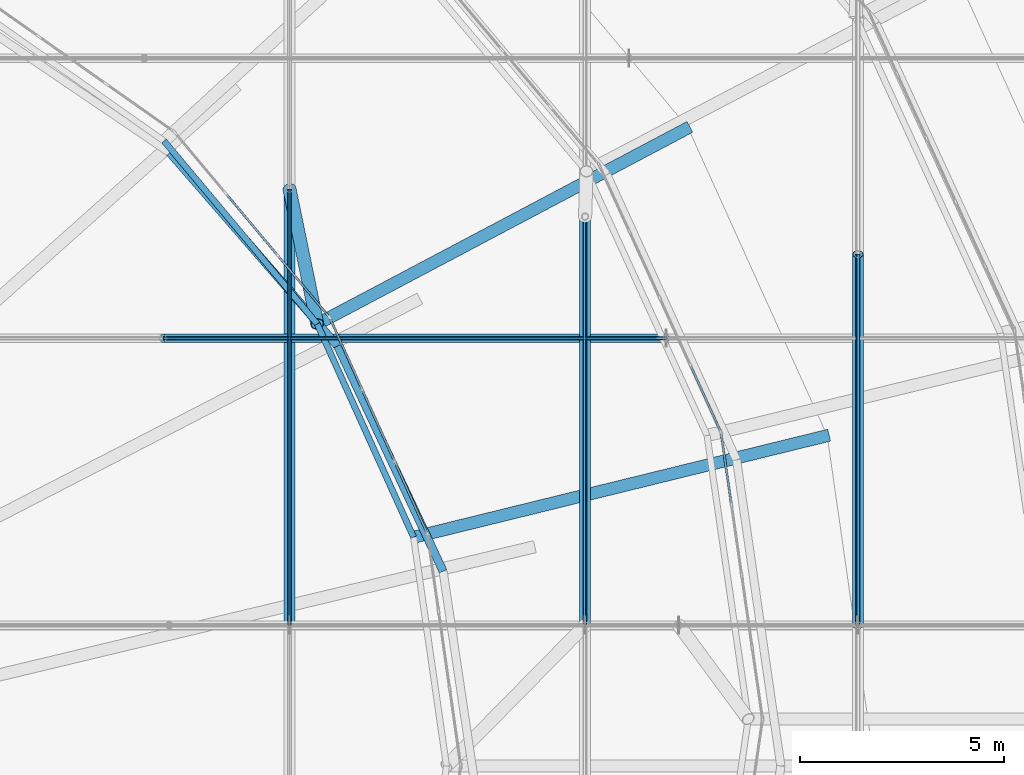
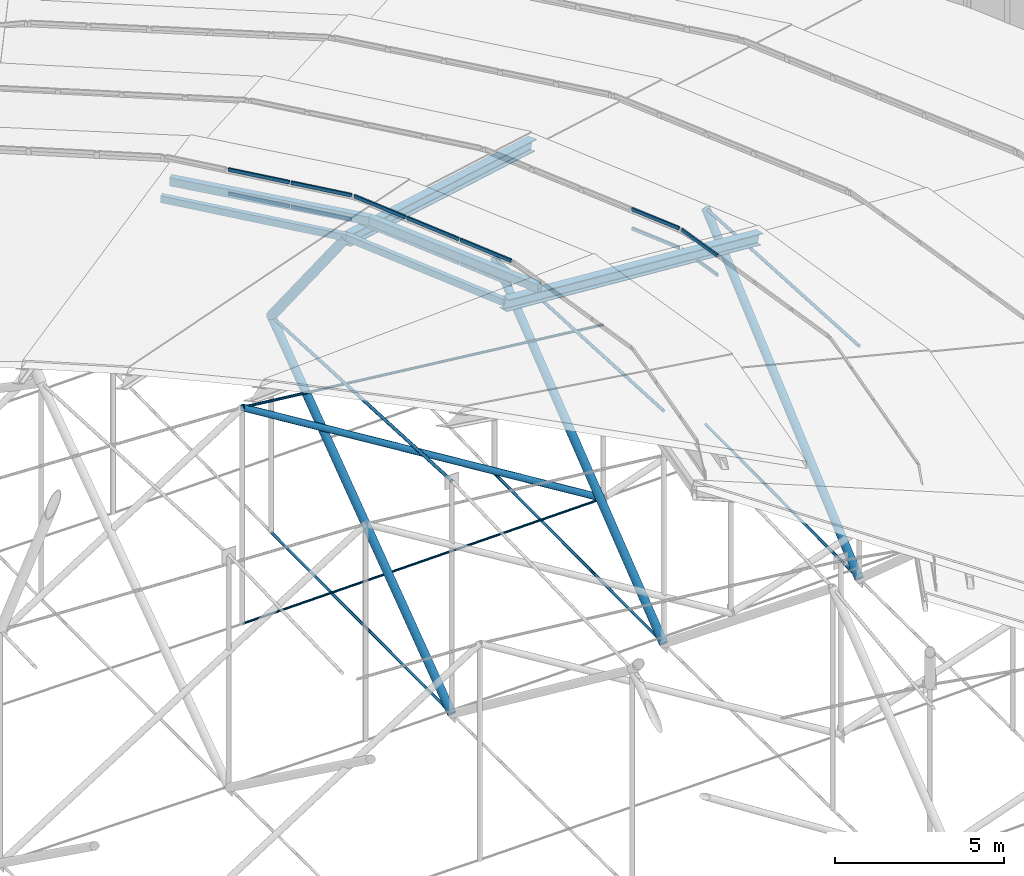
# One storey, part 92 of 173: 33 members, 4 elements without a shape of their own.
"""IFC4 building model written with IfcOpenShell, lengths in metres."""

import ifcopenshell
import ifcopenshell.guid

model = None  # the IFC model being written
_history = None  # IfcOwnerHistory: only IFC2X3 demands one
_inside = {}  # id of a spatial element -> (the spatial element, [elements in it])
_under = {}  # id of a project, library or spatial element -> (it, [spatial elements below it])
_declared = {}  # id of a project -> (the project, [libraries it declares])
_typed = {}  # id of a type object -> (the type object, [elements of that type])
_made_of = {}  # id of a material, layer set ... -> (it, [elements and type objects made of it])


def new_model(schema):
    """Start an empty IFC model of exactly this schema.

    Asked for "IFC4X3", IfcOpenShell would pick the latest addendum, in which some entities
    have other attributes; the version numbers below select the first issue.
    IFC2X3 requires an IfcOwnerHistory on every rooted entity: one is made here for all.
    """
    global model, _history
    if schema == "IFC4X3":
        model = ifcopenshell.file(schema_version=(4, 3, 0, 0))
    else:
        model = ifcopenshell.file(schema=schema)
    _inside.clear()
    _under.clear()
    _declared.clear()
    _typed.clear()
    _made_of.clear()
    _history = None
    if model.schema == "IFC2X3":
        org = make("IfcOrganization", Name="unknown")
        user = make(
            "IfcPersonAndOrganization",
            ThePerson=make("IfcPerson", FamilyName="unknown"),
            TheOrganization=org,
        )
        app = make(
            "IfcApplication",
            ApplicationDeveloper=org,
            Version="unknown",
            ApplicationFullName="unknown",
            ApplicationIdentifier="unknown",
        )
        _history = make(
            "IfcOwnerHistory",
            OwningUser=user,
            OwningApplication=app,
            ChangeAction="ADDED",
            CreationDate=0,
        )
    return model


def make(cls, **values):
    """One entity of the class cls with the attributes given. An attribute that is None is left unset."""
    return model.create_entity(
        cls, **{name: value for name, value in values.items() if value is not None}
    )


def rooted(cls, **values):
    """An entity with a GlobalId (a new one), such as an element, a storey or a relation."""
    return make(cls, GlobalId=ifcopenshell.guid.new(), OwnerHistory=_history, **values)


def si_unit(unit_type, name, prefix=None):
    """IfcSIUnit, for example si_unit("LENGTHUNIT", "METRE", prefix="MILLI")."""
    return make("IfcSIUnit", UnitType=unit_type, Prefix=prefix, Name=name)


def assignment(units):
    """IfcUnitAssignment: the units of a project."""
    return None if units is None else make("IfcUnitAssignment", Units=units)


def point(xyz):
    """IfcCartesianPoint."""
    return None if xyz is None else make("IfcCartesianPoint", Coordinates=xyz)


def direction(xyz):
    """IfcDirection."""
    return None if xyz is None else make("IfcDirection", DirectionRatios=xyz)


def frame(location, z_axis=None, x_axis=None):
    """IfcAxis2Placement3D, a coordinate frame: its origin and axes. An axis left out is left unset."""
    return make(
        "IfcAxis2Placement3D",
        Location=point(location),
        Axis=direction(z_axis),
        RefDirection=direction(x_axis),
    )


def frame_2d(location, x_axis=None):
    """IfcAxis2Placement2D, a coordinate frame in the plane: its origin and x axis."""
    return make(
        "IfcAxis2Placement2D", Location=point(location), RefDirection=direction(x_axis)
    )


def origin():
    """The frame at (0, 0, 0) with its axes left unset."""
    return frame((0.0, 0.0, 0.0))


def origin_2d():
    """The frame at (0, 0) in the plane with its x axis left unset."""
    return frame_2d((0.0, 0.0))


def place(relative_to, where):
    """IfcLocalPlacement: puts the frame where relative to a parent placement (None: the world)."""
    return make(
        "IfcLocalPlacement", PlacementRelTo=relative_to, RelativePlacement=where
    )


def context(
    kind, dimensions, precision=None, world=None, true_north=None, identifier=None
):
    """IfcGeometricRepresentationContext, for example the 3D "Model" context."""
    return make(
        "IfcGeometricRepresentationContext",
        ContextIdentifier=identifier,
        ContextType=kind,
        CoordinateSpaceDimension=dimensions,
        Precision=precision,
        WorldCoordinateSystem=world,
        TrueNorth=true_north,
    )


def subcontext(parent, identifier, kind, view, scale=None):
    """IfcGeometricRepresentationSubContext, for example "Body" below "Model"."""
    return make(
        "IfcGeometricRepresentationSubContext",
        ContextIdentifier=identifier,
        ContextType=kind,
        ParentContext=parent,
        TargetScale=scale,
        TargetView=view,
    )


def project(units=None, contexts=None):
    """IfcProject with its units and contexts."""
    return rooted(
        "IfcProject",
        Name="project",
        RepresentationContexts=contexts,
        UnitsInContext=assignment(units),
    )


def spatial(cls, under=None, at=None, **own):
    """A site, building, storey or space (cls), placed at a placement, below another one or the project."""
    s = rooted(cls, ObjectPlacement=at, **own)
    if under is not None:
        _under.setdefault(under.id(), (under, []))[1].append(s)
    return s


def profile(cls, at=None, kind="AREA", **sizes):
    """A parametric profile (cls). Its sizes go by their IFC names, for example OverallWidth=200.0."""
    return make(cls, ProfileType=kind, Position=at, **sizes)


def rectangle(**sizes):
    """IfcRectangleProfileDef."""
    return profile("IfcRectangleProfileDef", **sizes)


def hollow_rectangle(**sizes):
    """IfcRectangleHollowProfileDef."""
    return profile("IfcRectangleHollowProfileDef", **sizes)


def circle(**sizes):
    """IfcCircleProfileDef."""
    return profile("IfcCircleProfileDef", **sizes)


def hollow_circle(**sizes):
    """IfcCircleHollowProfileDef."""
    return profile("IfcCircleHollowProfileDef", **sizes)


def i_section(**sizes):
    """IfcIShapeProfileDef."""
    return profile("IfcIShapeProfileDef", **sizes)


def extrude(swept, where, along, depth):
    """IfcExtrudedAreaSolid: the profile swept, set in the frame where, extruded along a direction by depth."""
    return make(
        "IfcExtrudedAreaSolid",
        SweptArea=swept,
        Position=where,
        ExtrudedDirection=direction(along),
        Depth=depth,
    )


def shape(context_of_items, identifier, shape_type, items):
    """IfcShapeRepresentation: the items that make up one representation, for example the "Body"."""
    return make(
        "IfcShapeRepresentation",
        ContextOfItems=context_of_items,
        RepresentationIdentifier=identifier,
        RepresentationType=shape_type,
        Items=items,
    )


def material(Name=None, Category=None):
    """IfcMaterial."""
    return make("IfcMaterial", Name=Name, Category=Category)


def material_profile(
    of_material, cross_section, Name=None, Category=None, Priority=None
):
    """IfcMaterialProfile: a cross section and its material."""
    return make(
        "IfcMaterialProfile",
        Name=Name,
        Material=of_material,
        Profile=cross_section,
        Priority=Priority,
        Category=Category,
    )


def profile_set(profiles, Name=None, composite=None):
    """IfcMaterialProfileSet."""
    return make(
        "IfcMaterialProfileSet",
        Name=Name,
        MaterialProfiles=profiles,
        CompositeProfile=composite,
    )


def made_of(thing, what):
    """Note that an element or type object is made of a material, layer set ...; save() writes the relation."""
    if what is not None:
        _made_of.setdefault(what.id(), (what, []))[1].append(thing)
    return thing


def type_object(cls, material=None, **own):
    """A type object (cls), such as IfcWallType, which elements share."""
    return made_of(rooted(cls, **own), material)


def element(
    cls,
    number,
    at=None,
    inside=None,
    cuts=None,
    type_object=None,
    material=None,
    context=None,
    identifier="Body",
    shape_type=None,
    held_by="IfcProductDefinitionShape",
    body=None,
    shapes=None,
    **own,
):
    """One element of the class cls, such as IfcWall. Its Tag is "e" and its number.

    at: its placement. inside: the storey or other place that contains it. cuts: it is an
    opening in that element (IfcRelVoidsElement). A single representation is given by context,
    identifier, shape_type and body (its items); several are given by shapes. held_by: the class
    of the entity that holds the representations. save() writes the other relations.
    """
    e = rooted(cls, Tag="e%d" % number, ObjectPlacement=at, **own)
    if body is not None:
        shapes = [shape(context, identifier, shape_type, body)]
    if shapes is not None:
        e.Representation = make(held_by, Representations=shapes)
    if inside is not None:
        _inside.setdefault(inside.id(), (inside, []))[1].append(e)
    if cuts is not None:
        rooted(
            "IfcRelVoidsElement", RelatingBuildingElement=cuts, RelatedOpeningElement=e
        )
    if type_object is not None:
        _typed.setdefault(type_object.id(), (type_object, []))[1].append(e)
    return made_of(e, material)


def aggregate(whole, parts):
    """IfcRelAggregates: a whole, such as a stair, and the parts it consists of."""
    return rooted("IfcRelAggregates", RelatingObject=whole, RelatedObjects=parts)


def save(model, path):
    """Write the relations noted so far, then the file.

    IfcRelAggregates (storeys below a building ...), IfcRelContainedInSpatialStructure (elements
    in a storey), IfcRelDefinesByType, IfcRelAssociatesMaterial and IfcRelDeclares: one each for
    every whole, place, type object, material and project.
    """
    for whole, parts in _under.values():
        aggregate(whole, parts)
    for where, things in _inside.values():
        rooted(
            "IfcRelContainedInSpatialStructure",
            RelatedElements=things,
            RelatingStructure=where,
        )
    for kind, things in _typed.values():
        rooted("IfcRelDefinesByType", RelatedObjects=things, RelatingType=kind)
    for what, things in _made_of.values():
        rooted("IfcRelAssociatesMaterial", RelatedObjects=things, RelatingMaterial=what)
    for by, libraries in _declared.values():
        rooted("IfcRelDeclares", RelatingContext=by, RelatedDefinitions=libraries)
    model.write(path)


model = new_model("IFC4")

# Units and contexts
model_context = context("Model", 3, precision=1e-05, world=origin(), true_north=direction((0.0, 1.0)))
body_context = subcontext(model_context, "Body", "Model", "MODEL_VIEW")
ifc_project = project(units=[si_unit("LENGTHUNIT", "METRE"), si_unit("AREAUNIT", "SQUARE_METRE"), si_unit("VOLUMEUNIT", "CUBIC_METRE"), si_unit("PLANEANGLEUNIT", "RADIAN"), si_unit("MASSUNIT", "GRAM", prefix="KILO")], contexts=[model_context])

# Site, building, storey
site_placement = place(None, origin())
site = spatial("IfcSite", under=ifc_project, at=site_placement, CompositionType="ELEMENT")
building_placement = place(site_placement, origin())
building = spatial("IfcBuilding", under=site, at=building_placement, Name="Glasvene Arena", CompositionType="ELEMENT")
storey_placement = place(building_placement, frame((0.0, 0.0, 28.800048828125)))
storey = spatial("IfcBuildingStorey", under=building, at=storey_placement, Name="RF", CompositionType="ELEMENT", Elevation=28.800048828125)

# Curtain wall, members
ifc_material_1 = material(Name="Low-emissivity laminated double glazing", Category="glass")
curtain_wall_type_1 = type_object("IfcCurtainWallType", Name="CW-PET3-711x75", PredefinedType="USERDEFINED", material=ifc_material_1)
curtain_wall_1_placement = place(storey_placement, frame((119.050048828125, 70.699951171875, 0.0)))
curtain_wall_1 = element("IfcCurtainWall", 1, at=curtain_wall_1_placement, inside=storey, type_object=curtain_wall_type_1, Name="Petal ring 3-4 clerestory curtain wall 01", ObjectType="CURTAIN WALL", PredefinedType="USERDEFINED")
ifc_material_2 = material(Name="Anodised architectural aluminium", Category="aluminium")
ifc_material_profile_1 = material_profile(ifc_material_2, rectangle(XDim=0.050048828125, YDim=0.1201171875, at=origin_2d()), Name="ALU TRANSOM 50x120")
ifc_profile_set_1 = profile_set([ifc_material_profile_1], Name="Anodised architectural aluminium")
member_type_1 = type_object("IfcMemberType", Name="CW-TRN-120", PredefinedType="USERDEFINED", material=ifc_profile_set_1)
member_1_placement = place(storey_placement, frame((118.281005859375, 76.004638671875, 7.85498046875), z_axis=(-0.143467726456, 0.989654996181, 0.0), x_axis=(-0.989654996181, -0.143467726456, 0.0)))
member_1 = element("IfcMember", 2, at=member_1_placement, type_object=member_type_1, Name="CW-093 transom 4.1", ObjectType="TRANSOM", PredefinedType="USERDEFINED", context=body_context, shape_type="SweptSolid", body=[
    extrude(rectangle(XDim=0.050048828125, YDim=0.1201171875, at=origin_2d()), origin(), (0.0, 0.0, 1.0), 1.703369140625),
])
member_2_placement = place(storey_placement, frame((118.281005859375, 76.004638671875, 8.554931640625), z_axis=(-0.143467726456, 0.989654996181, 0.0), x_axis=(-0.989654996181, -0.143467726456, 0.0)))
member_2 = element("IfcMember", 3, at=member_2_placement, type_object=member_type_1, Name="CW-093 transom 4.2", ObjectType="TRANSOM", PredefinedType="USERDEFINED", context=body_context, shape_type="SweptSolid", body=[
    extrude(rectangle(XDim=0.050048828125, YDim=0.1201171875, at=origin_2d()), origin(), (0.0, 0.0, 1.0), 1.703369140625),
])
aggregate(curtain_wall_1, [member_1, member_2])

curtain_wall_type_2 = type_object("IfcCurtainWallType", Name="CW-PET3-721x75", PredefinedType="USERDEFINED", material=ifc_material_1)
curtain_wall_2_placement = place(storey_placement, frame((118.029541015625, 77.739990234375, 0.0)))
curtain_wall_2 = element("IfcCurtainWall", 4, at=curtain_wall_2_placement, inside=storey, type_object=curtain_wall_type_2, Name="Petal ring 3-4 clerestory curtain wall 02", ObjectType="CURTAIN WALL", PredefinedType="USERDEFINED")
member_3_placement = place(storey_placement, frame((118.0087890625, 77.785400390625, 7.85498046875), z_axis=(-0.41493129329, 0.909852747344, 0.0), x_axis=(-0.909852747344, -0.41493129329, 0.0)))
member_3 = element("IfcMember", 5, at=member_3_placement, type_object=member_type_1, Name="CW-094 transom 1.1", ObjectType="TRANSOM", PredefinedType="USERDEFINED", context=body_context, shape_type="SweptSolid", body=[
    extrude(rectangle(XDim=0.050048828125, YDim=0.1201171875, at=origin_2d()), origin(), (0.0, 0.0, 1.0), 1.7275390625),
])
member_4_placement = place(storey_placement, frame((118.0087890625, 77.785400390625, 8.554931640625), z_axis=(-0.41493129329, 0.909852747344, 0.0), x_axis=(-0.909852747344, -0.41493129329, 0.0)))
member_4 = element("IfcMember", 6, at=member_4_placement, type_object=member_type_1, Name="CW-094 transom 1.2", ObjectType="TRANSOM", PredefinedType="USERDEFINED", context=body_context, shape_type="SweptSolid", body=[
    extrude(rectangle(XDim=0.050048828125, YDim=0.1201171875, at=origin_2d()), origin(), (0.0, 0.0, 1.0), 1.7275390625),
])
aggregate(curtain_wall_2, [member_3, member_4])

curtain_wall_type_3 = type_object("IfcCurtainWallType", Name="CW-PET4-582x92", PredefinedType="USERDEFINED", material=ifc_material_1)
curtain_wall_3_placement = place(storey_placement, frame((110.832275390625, 75.243896484375, 0.0)))
curtain_wall_3 = element("IfcCurtainWall", 7, at=curtain_wall_3_placement, inside=storey, type_object=curtain_wall_type_3, Name="Petal ring 4-5 clerestory curtain wall 02", ObjectType="CURTAIN WALL", PredefinedType="USERDEFINED")
member_5_placement = place(storey_placement, frame((110.8115234375, 75.28955078125, 10.554931640625), z_axis=(-0.41175148057, 0.911296174824, 0.0), x_axis=(-0.911296174824, -0.41175148057, 0.0)))
member_5 = element("IfcMember", 8, at=member_5_placement, type_object=member_type_1, Name="CW-100 transom 1.1", ObjectType="TRANSOM", PredefinedType="USERDEFINED", context=body_context, shape_type="SweptSolid", body=[
    extrude(rectangle(XDim=0.050048828125, YDim=0.1201171875, at=origin_2d()), origin(), (0.0, 0.0, 1.0), 1.865966796875),
])
member_6_placement = place(storey_placement, frame((110.8115234375, 75.28955078125, 11.4208984375), z_axis=(-0.41175148057, 0.911296174824, 0.0), x_axis=(-0.911296174824, -0.41175148057, 0.0)))
member_6 = element("IfcMember", 9, at=member_6_placement, type_object=member_type_1, Name="CW-100 transom 1.2", ObjectType="TRANSOM", PredefinedType="USERDEFINED", context=body_context, shape_type="SweptSolid", body=[
    extrude(rectangle(XDim=0.050048828125, YDim=0.1201171875, at=origin_2d()), origin(), (0.0, 0.0, 1.0), 1.865966796875),
])
member_7_placement = place(storey_placement, frame((110.022705078125, 77.035400390625, 10.554931640625), z_axis=(-0.411749309891, 0.9112971556, 0.0), x_axis=(-0.9112971556, -0.411749309891, 0.0)))
member_7 = element("IfcMember", 10, at=member_7_placement, type_object=member_type_1, Name="CW-100 transom 2.1", ObjectType="TRANSOM", PredefinedType="USERDEFINED", context=body_context, shape_type="SweptSolid", body=[
    extrude(rectangle(XDim=0.050048828125, YDim=0.1201171875, at=origin_2d()), origin(), (0.0, 0.0, 1.0), 1.890869140625),
])
member_8_placement = place(storey_placement, frame((110.022705078125, 77.035400390625, 11.4208984375), z_axis=(-0.411749309891, 0.9112971556, 0.0), x_axis=(-0.9112971556, -0.411749309891, 0.0)))
member_8 = element("IfcMember", 11, at=member_8_placement, type_object=member_type_1, Name="CW-100 transom 2.2", ObjectType="TRANSOM", PredefinedType="USERDEFINED", context=body_context, shape_type="SweptSolid", body=[
    extrude(rectangle(XDim=0.050048828125, YDim=0.1201171875, at=origin_2d()), origin(), (0.0, 0.0, 1.0), 1.890869140625),
])
member_9_placement = place(storey_placement, frame((109.223388671875, 78.80419921875, 10.554931640625), z_axis=(-0.411800580361, 0.911273988444, 0.0), x_axis=(-0.911273988444, -0.411800580361, 0.0)))
member_9 = element("IfcMember", 12, at=member_9_placement, type_object=member_type_1, Name="CW-100 transom 3.1", ObjectType="TRANSOM", PredefinedType="USERDEFINED", context=body_context, shape_type="SweptSolid", body=[
    extrude(rectangle(XDim=0.050048828125, YDim=0.1201171875, at=origin_2d()), origin(), (0.0, 0.0, 1.0), 1.86572265625),
])
member_10_placement = place(storey_placement, frame((109.223388671875, 78.80419921875, 11.4208984375), z_axis=(-0.411800580361, 0.911273988444, 0.0), x_axis=(-0.911273988444, -0.411800580361, 0.0)))
member_10 = element("IfcMember", 13, at=member_10_placement, type_object=member_type_1, Name="CW-100 transom 3.2", ObjectType="TRANSOM", PredefinedType="USERDEFINED", context=body_context, shape_type="SweptSolid", body=[
    extrude(rectangle(XDim=0.050048828125, YDim=0.1201171875, at=origin_2d()), origin(), (0.0, 0.0, 1.0), 1.86572265625),
])
aggregate(curtain_wall_3, [member_5, member_6, member_7, member_8, member_9, member_10])

curtain_wall_type_4 = type_object("IfcCurtainWallType", Name="CW-PET4-594x92", PredefinedType="USERDEFINED", material=ifc_material_1)
curtain_wall_4_placement = place(storey_placement, frame((108.4345703125, 80.550048828125, 0.0)))
curtain_wall_4 = element("IfcCurtainWall", 14, at=curtain_wall_4_placement, inside=storey, type_object=curtain_wall_type_4, Name="Petal ring 4-5 clerestory curtain wall 03", ObjectType="CURTAIN WALL", PredefinedType="USERDEFINED")
member_11_placement = place(storey_placement, frame((108.402587890625, 80.58837890625, 10.554931640625), z_axis=(-0.641959426769, 0.766738608903, 0.0), x_axis=(-0.766738608903, -0.641959426769, 0.0)))
member_11 = element("IfcMember", 15, at=member_11_placement, type_object=member_type_1, Name="CW-101 transom 1.1", ObjectType="TRANSOM", PredefinedType="USERDEFINED", context=body_context, shape_type="SweptSolid", body=[
    extrude(rectangle(XDim=0.050048828125, YDim=0.1201171875, at=origin_2d()), origin(), (0.0, 0.0, 1.0), 1.90576171875),
])
member_12_placement = place(storey_placement, frame((108.402587890625, 80.58837890625, 11.4208984375), z_axis=(-0.641959426769, 0.766738608903, 0.0), x_axis=(-0.766738608903, -0.641959426769, 0.0)))
member_12 = element("IfcMember", 16, at=member_12_placement, type_object=member_type_1, Name="CW-101 transom 1.2", ObjectType="TRANSOM", PredefinedType="USERDEFINED", context=body_context, shape_type="SweptSolid", body=[
    extrude(rectangle(XDim=0.050048828125, YDim=0.1201171875, at=origin_2d()), origin(), (0.0, 0.0, 1.0), 1.90576171875),
])
member_13_placement = place(storey_placement, frame((107.147216796875, 82.087890625, 10.554931640625), z_axis=(-0.64187441303, 0.766809779474, 0.0), x_axis=(-0.766809779474, -0.64187441303, 0.0)))
member_13 = element("IfcMember", 17, at=member_13_placement, type_object=member_type_1, Name="CW-101 transom 2.1", ObjectType="TRANSOM", PredefinedType="USERDEFINED", context=body_context, shape_type="SweptSolid", body=[
    extrude(rectangle(XDim=0.050048828125, YDim=0.1201171875, at=origin_2d()), origin(), (0.0, 0.0, 1.0), 1.9306640625),
])
member_14_placement = place(storey_placement, frame((107.147216796875, 82.087890625, 11.4208984375), z_axis=(-0.64187441303, 0.766809779474, 0.0), x_axis=(-0.766809779474, -0.64187441303, 0.0)))
member_14 = element("IfcMember", 18, at=member_14_placement, type_object=member_type_1, Name="CW-101 transom 2.2", ObjectType="TRANSOM", PredefinedType="USERDEFINED", context=body_context, shape_type="SweptSolid", body=[
    extrude(rectangle(XDim=0.050048828125, YDim=0.1201171875, at=origin_2d()), origin(), (0.0, 0.0, 1.0), 1.9306640625),
])
aggregate(curtain_wall_4, [member_11, member_12, member_13, member_14])

# Members
ifc_material_3 = material(Name="High-strength steel spiral strand S460", Category="steel")
ifc_material_profile_2 = material_profile(ifc_material_3, circle(Radius=0.052490234375, at=origin_2d()), Name="LCSS D105")
ifc_profile_set_2 = profile_set([ifc_material_profile_2], Name="High-strength steel spiral strand S460")
member_type_2 = type_object("IfcMemberType", Name="MB-CABLE-105", PredefinedType="USERDEFINED", material=ifc_profile_set_2)
member_15_placement = place(storey_placement, frame((121.389404296875, 73.0, 6.02001953125), z_axis=(0.0, 0.998367104259, -0.05712377031), x_axis=(-1.0, 0.0, 0.0)))
element("IfcMember", 19, at=member_15_placement, inside=storey, type_object=member_type_2, Name="Upper lens roof cable NS01-05", ObjectType="ROOF CABLE", PredefinedType="USERDEFINED", context=body_context, shape_type="SweptSolid", body=[
    extrude(circle(Radius=0.052490234375, at=origin_2d()), origin(), (0.0, 0.0, 1.0), 9.1162109375),
])
member_16_placement = place(storey_placement, frame((114.699462890625, 73.0, 6.02001953125), z_axis=(0.0, 0.998653211975, -0.051882195512), x_axis=(-1.0, 0.0, 0.0)))
element("IfcMember", 20, at=member_16_placement, inside=storey, type_object=member_type_2, Name="Upper lens roof cable NS02-05", ObjectType="ROOF CABLE", PredefinedType="USERDEFINED", context=body_context, shape_type="SweptSolid", body=[
    extrude(circle(Radius=0.052490234375, at=origin_2d()), origin(), (0.0, 0.0, 1.0), 10.037109375),
])
member_17_placement = place(storey_placement, frame((107.45068359375, 73.0, 6.02001953125), z_axis=(0.0, 0.998817674333, -0.048613305176), x_axis=(-1.0, 0.0, 0.0)))
element("IfcMember", 21, at=member_17_placement, inside=storey, type_object=member_type_2, Name="Upper lens roof cable NS03-05", ObjectType="ROOF CABLE", PredefinedType="USERDEFINED", context=body_context, shape_type="SweptSolid", body=[
    extrude(circle(Radius=0.052490234375, at=origin_2d()), origin(), (0.0, 0.0, 1.0), 10.712158203125),
])
ifc_material_profile_3 = material_profile(ifc_material_3, circle(Radius=0.03759765625, at=origin_2d()), Name="LCSS D75")
ifc_profile_set_3 = profile_set([ifc_material_profile_3], Name="High-strength steel spiral strand S460")
member_type_3 = type_object("IfcMemberType", Name="MB-CABLE-75", PredefinedType="USERDEFINED", material=ifc_profile_set_3)
member_18_placement = place(storey_placement, frame((104.34619140625, 80.03955078125, -2.328125), z_axis=(0.999847586519, 0.0, 0.017458629178), x_axis=(0.0, 1.0, 0.0)))
element("IfcMember", 22, at=member_18_placement, inside=storey, type_object=member_type_3, Name="Lower stabilization roof cable EW05-06", ObjectType="ROOF CABLE", PredefinedType="USERDEFINED", context=body_context, shape_type="SweptSolid", body=[
    extrude(circle(Radius=0.03759765625, at=origin_2d()), origin(), (0.0, 0.0, 1.0), 12.347900390625),
])
ifc_material_profile_4 = material_profile(ifc_material_3, circle(Radius=0.044921875, at=origin_2d()), Name="LCSS D90")
ifc_profile_set_4 = profile_set([ifc_material_profile_4], Name="High-strength steel spiral strand S460")
member_type_4 = type_object("IfcMemberType", Name="MB-CABLE-90", PredefinedType="USERDEFINED", material=ifc_profile_set_4)
member_19_placement = place(storey_placement, frame((121.389404296875, 73.0, -2.400146484375), z_axis=(0.0, 0.999968691293, 0.00791305464), x_axis=(-1.0, 0.0, 0.0)))
element("IfcMember", 23, at=member_19_placement, inside=storey, type_object=member_type_4, Name="Lower stabilization roof cable NS01-05", ObjectType="ROOF CABLE", PredefinedType="USERDEFINED", context=body_context, shape_type="SweptSolid", body=[
    extrude(circle(Radius=0.044921875, at=origin_2d()), origin(), (0.0, 0.0, 1.0), 9.1015625),
])
member_20_placement = place(storey_placement, frame((114.699462890625, 73.0, -2.400146484375), z_axis=(0.0, 0.999974187932, 0.007184947401), x_axis=(-1.0, 0.0, 0.0)))
element("IfcMember", 24, at=member_20_placement, inside=storey, type_object=member_type_4, Name="Lower stabilization roof cable NS02-05", ObjectType="ROOF CABLE", PredefinedType="USERDEFINED", context=body_context, shape_type="SweptSolid", body=[
    extrude(circle(Radius=0.044921875, at=origin_2d()), origin(), (0.0, 0.0, 1.0), 10.02392578125),
])
member_21_placement = place(storey_placement, frame((107.45068359375, 73.0, -2.400146484375), z_axis=(0.0, 0.999977345451, 0.006731165246), x_axis=(-1.0, 0.0, 0.0)))
element("IfcMember", 25, at=member_21_placement, inside=storey, type_object=member_type_4, Name="Lower stabilization roof cable NS03-05", ObjectType="ROOF CABLE", PredefinedType="USERDEFINED", context=body_context, shape_type="SweptSolid", body=[
    extrude(circle(Radius=0.044921875, at=origin_2d()), origin(), (0.0, 0.0, 1.0), 10.69970703125),
])
member_22_placement = place(storey_placement, frame((104.34619140625, 80.03955078125, 5.499267578125), z_axis=(0.994227867926, 0.0, -0.107289079778), x_axis=(0.0, 1.0, 0.0)))
element("IfcMember", 26, at=member_22_placement, inside=storey, type_object=member_type_4, Name="Upper lens roof cable EW05-06", ObjectType="ROOF CABLE", PredefinedType="USERDEFINED", context=body_context, shape_type="SweptSolid", body=[
    extrude(circle(Radius=0.044921875, at=origin_2d()), origin(), (0.0, 0.0, 1.0), 12.417724609375),
])
ifc_material_4 = material(Name="Steel S355J2", Category="steel")
ifc_material_profile_5 = material_profile(ifc_material_4, i_section(OverallWidth=0.300048828125, OverallDepth=0.39990234375, WebThickness=0.013427734375, FlangeThickness=0.02392578125, FilletRadius=0.027099609375, at=origin_2d()), Name="HEB 400")
ifc_profile_set_5 = profile_set([ifc_material_profile_5], Name="Steel S355J2")
member_type_5 = type_object("IfcMemberType", Name="MB-CHORD-HEB400", PredefinedType="CHORD", material=ifc_profile_set_5)
member_23_placement = place(storey_placement, frame((120.636474609375, 77.65087890625, 7.39990234375), z_axis=(-0.941311100722, -0.231164235842, 0.245960378363), x_axis=(0.2384906979, -0.971144781696, 0.0)))
element("IfcMember", 27, at=member_23_placement, inside=storey, type_object=member_type_5, Name="Petal ring 4 radial rib 02", PredefinedType="CHORD", context=body_context, shape_type="SweptSolid", body=[
    extrude(i_section(OverallWidth=0.300048828125, OverallDepth=0.39990234375, WebThickness=0.013427734375, FlangeThickness=0.02392578125, FilletRadius=0.027099609375, at=origin_2d()), origin(), (0.0, 0.0, 1.0), 10.774658203125),
])
member_24_placement = place(storey_placement, frame((117.224853515625, 85.199951171875, 7.39990234375), z_axis=(-0.855938126036, -0.452926073298, 0.249455199434), x_axis=(0.46771216672, -0.88388083422, 0.0)))
element("IfcMember", 28, at=member_24_placement, inside=storey, type_object=member_type_5, Name="Petal ring 4 radial rib 03", PredefinedType="CHORD", context=body_context, shape_type="SweptSolid", body=[
    extrude(i_section(OverallWidth=0.300048828125, OverallDepth=0.39990234375, WebThickness=0.013427734375, FlangeThickness=0.02392578125, FilletRadius=0.027099609375, at=origin_2d()), origin(), (0.0, 0.0, 1.0), 10.623779296875),
])
ifc_material_profile_6 = material_profile(ifc_material_4, hollow_circle(Radius=0.161865234375, WallThickness=0.01611328125, at=origin_2d()), Name="CHS 323.9x16.0")
ifc_profile_set_6 = profile_set([ifc_material_profile_6], Name="Steel S355J2")
member_type_6 = type_object("IfcMemberType", Name="MB-POST-CHS324", PredefinedType="BRACE", material=ifc_profile_set_6)
member_25_placement = place(storey_placement, frame((107.45068359375, 83.699462890625, 5.499267578125), z_axis=(0.118730943084, -0.577392535335, 0.807787610262), x_axis=(0.979505261061, 0.201418577977, 0.0)))
element("IfcMember", 29, at=member_25_placement, inside=storey, type_object=member_type_6, Name="Petal ring 4 ridge support post 03", PredefinedType="BRACE", context=body_context, shape_type="SweptSolid", body=[
    extrude(hollow_circle(Radius=0.161865234375, WallThickness=0.01611328125, at=origin_2d()), origin(), (0.0, 0.0, 1.0), 5.73486328125),
])
ifc_material_profile_7 = material_profile(ifc_material_4, hollow_rectangle(XDim=0.14990234375, YDim=0.25, WallThickness=0.010009765625, at=origin_2d()), Name="RHS 250x150x10.0")
ifc_profile_set_7 = profile_set([ifc_material_profile_7], Name="Steel S355J2")
member_type_7 = type_object("IfcMemberType", Name="MB-PURLIN-RHS250", PredefinedType="PURLIN", material=ifc_profile_set_7)
member_26_placement = place(storey_placement, frame((110.494140625, 75.16015625, 10.1318359375), z_axis=(-0.411804487688, 0.91127222273, 0.0), x_axis=(-0.91127222273, -0.411804487688, 0.0)))
element("IfcMember", 30, at=member_26_placement, inside=storey, type_object=member_type_7, Name="Petal ring 4 ridge purlin 02", PredefinedType="PURLIN", context=body_context, shape_type="SweptSolid", body=[
    extrude(hollow_rectangle(XDim=0.14990234375, YDim=0.25, WallThickness=0.010009765625, at=origin_2d()), origin(), (0.0, 0.0, 1.0), 5.737060546875),
])
member_27_placement = place(storey_placement, frame((108.131591796875, 80.38818359375, 10.1318359375), z_axis=(-0.641946348461, 0.766749558655, 0.0), x_axis=(-0.766749558655, -0.641946348461, 0.0)))
element("IfcMember", 31, at=member_27_placement, inside=storey, type_object=member_type_7, Name="Petal ring 4 ridge purlin 03", PredefinedType="PURLIN", context=body_context, shape_type="SweptSolid", body=[
    extrude(hollow_rectangle(XDim=0.14990234375, YDim=0.25, WallThickness=0.010009765625, at=origin_2d()), origin(), (0.0, 0.0, 1.0), 5.85498046875),
])
ifc_material_profile_8 = material_profile(ifc_material_4, hollow_rectangle(XDim=0.199951171875, YDim=0.300048828125, WallThickness=0.012451171875, at=origin_2d()), Name="RHS 300x200x12.5")
ifc_profile_set_8 = profile_set([ifc_material_profile_8], Name="Steel S355J2")
member_type_8 = type_object("IfcMemberType", Name="MB-PURLIN-RHS300", PredefinedType="PURLIN", material=ifc_profile_set_8)
member_28_placement = place(storey_placement, frame((111.217529296875, 74.326904296875, 10.9013671875), z_axis=(-0.424219525653, 0.905559381849, 0.0), x_axis=(-0.905559381849, -0.424219525653, 0.0)))
element("IfcMember", 32, at=member_28_placement, inside=storey, type_object=member_type_8, Name="Petal ring 5 outer purlin 02", PredefinedType="PURLIN", context=body_context, shape_type="SweptSolid", body=[
    extrude(hollow_rectangle(XDim=0.199951171875, YDim=0.300048828125, WallThickness=0.012451171875, at=origin_2d()), origin(), (0.0, 0.0, 1.0), 6.09912109375),
])
member_29_placement = place(storey_placement, frame((108.630126953125, 79.85009765625, 10.9013671875), z_axis=(-0.655443991024, 0.7552437849, 0.0), x_axis=(-0.7552437849, -0.655443991024, 0.0)))
element("IfcMember", 33, at=member_29_placement, inside=storey, type_object=member_type_8, Name="Petal ring 5 outer purlin 03", PredefinedType="PURLIN", context=body_context, shape_type="SweptSolid", body=[
    extrude(hollow_rectangle(XDim=0.199951171875, YDim=0.300048828125, WallThickness=0.012451171875, at=origin_2d()), origin(), (0.0, 0.0, 1.0), 6.279541015625),
])
ifc_material_profile_9 = material_profile(ifc_material_4, hollow_circle(Radius=0.109619140625, WallThickness=0.010009765625, at=origin_2d()), Name="CHS 219.1x10.0")
ifc_profile_set_9 = profile_set([ifc_material_profile_9], Name="Steel S355J2")
member_type_9 = type_object("IfcMemberType", Name="MB-WEB-CHS219", PredefinedType="BRACE", material=ifc_profile_set_9)
member_30_placement = place(storey_placement, frame((104.34619140625, 80.03955078125, 5.499267578125), z_axis=(0.85121761809, 0.0, -0.524812887279), x_axis=(0.0, 1.0, 0.0)))
element("IfcMember", 34, at=member_30_placement, inside=storey, type_object=member_type_9, Name="Cable-truss diagonal web strut EW05-06", PredefinedType="BRACE", context=body_context, shape_type="SweptSolid", body=[
    extrude(hollow_circle(Radius=0.109619140625, WallThickness=0.010009765625, at=origin_2d()), origin(), (0.0, 0.0, 1.0), 14.50390625),
])
ifc_material_profile_10 = material_profile(ifc_material_4, hollow_circle(Radius=0.136474609375, WallThickness=0.012451171875, at=origin_2d()), Name="CHS 273.0x12.5")
ifc_profile_set_10 = profile_set([ifc_material_profile_10], Name="Steel S355J2")
member_type_10 = type_object("IfcMemberType", Name="MB-WEB-CHS273", PredefinedType="BRACE", material=ifc_profile_set_10)
member_31_placement = place(storey_placement, frame((121.389404296875, 73.0, -2.400146484375), z_axis=(0.0, 0.755212296513, 0.655480272163), x_axis=(-1.0, 0.0, 0.0)))
element("IfcMember", 35, at=member_31_placement, inside=storey, type_object=member_type_10, Name="Cable-truss diagonal web strut NS01-05", PredefinedType="BRACE", context=body_context, shape_type="SweptSolid", body=[
    extrude(hollow_circle(Radius=0.136474609375, WallThickness=0.012451171875, at=origin_2d()), origin(), (0.0, 0.0, 1.0), 12.05126953125),
])
member_32_placement = place(storey_placement, frame((114.699462890625, 73.0, -2.400146484375), z_axis=(0.0, 0.785416707567, 0.618967362205), x_axis=(-1.0, 0.0, 0.0)))
element("IfcMember", 36, at=member_32_placement, inside=storey, type_object=member_type_10, Name="Cable-truss diagonal web strut NS02-05", PredefinedType="BRACE", context=body_context, shape_type="SweptSolid", body=[
    extrude(hollow_circle(Radius=0.136474609375, WallThickness=0.012451171875, at=origin_2d()), origin(), (0.0, 0.0, 1.0), 12.76220703125),
])
member_33_placement = place(storey_placement, frame((107.45068359375, 73.0, -2.400146484375), z_axis=(0.0, 0.804495342897, 0.593958957553), x_axis=(-1.0, 0.0, 0.0)))
element("IfcMember", 37, at=member_33_placement, inside=storey, type_object=member_type_10, Name="Cable-truss diagonal web strut NS03-05", PredefinedType="BRACE", context=body_context, shape_type="SweptSolid", body=[
    extrude(hollow_circle(Radius=0.136474609375, WallThickness=0.012451171875, at=origin_2d()), origin(), (0.0, 0.0, 1.0), 13.299560546875),
])

save(model, "model.ifc")
